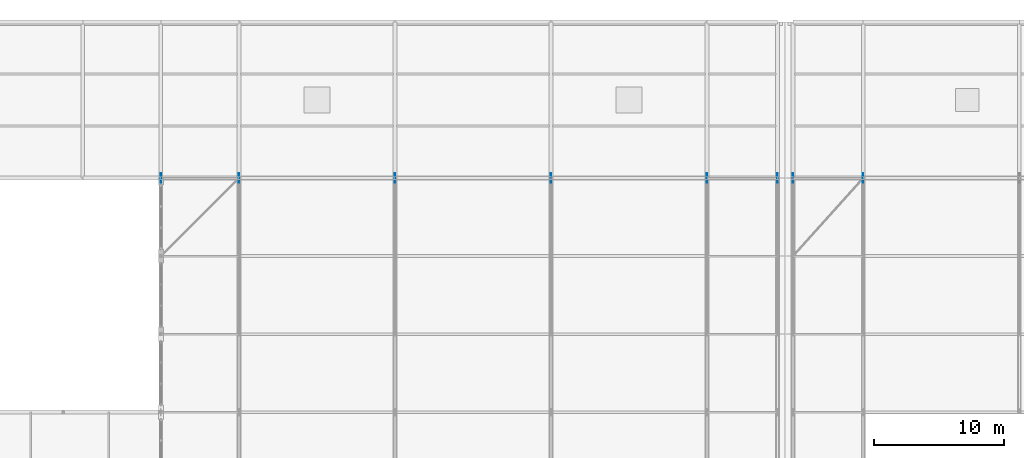
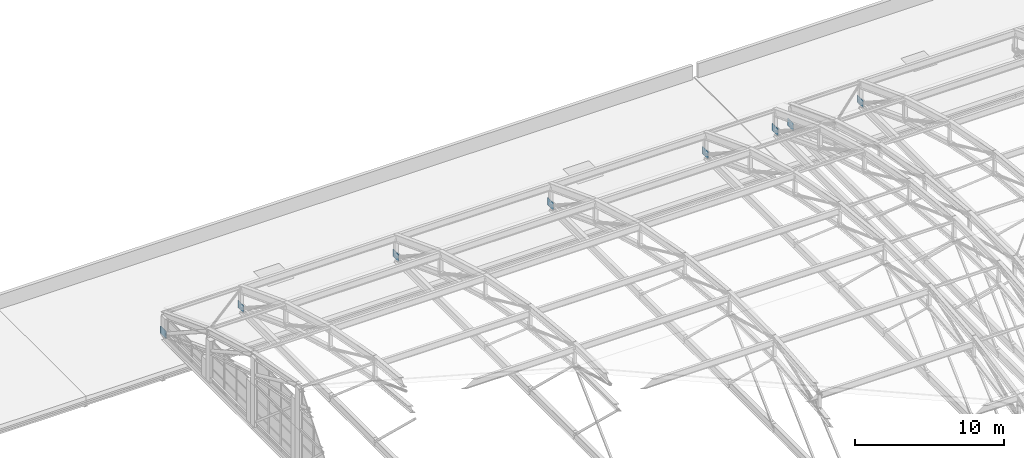
# One storey, part 190 of 204: 8 plates.
"""IFC4 building model written with IfcOpenShell, lengths in metres."""

from ifc_helpers import new_model, si_unit, direction, frame, origin, origin_2d, place, context, subcontext, project, spatial, rectangle, extrude, material, layer, layer_set, type_object, element, save


model = new_model("IFC4")

# Units and contexts
model_context = context("Model", 3, precision=1e-05, world=origin(), true_north=direction((0.0, 1.0)))
body_context = subcontext(model_context, "Body", "Model", "MODEL_VIEW")
ifc_project = project(units=[si_unit("LENGTHUNIT", "METRE"), si_unit("AREAUNIT", "SQUARE_METRE"), si_unit("VOLUMEUNIT", "CUBIC_METRE"), si_unit("PLANEANGLEUNIT", "RADIAN"), si_unit("MASSUNIT", "GRAM", prefix="KILO")], contexts=[model_context])

# Site, building, storey
site_placement = place(None, origin())
site = spatial("IfcSite", under=ifc_project, at=site_placement, CompositionType="ELEMENT")
building_placement = place(site_placement, origin())
building = spatial("IfcBuilding", under=site, at=building_placement, Name="Zilviju Railside Exhibition Hall", CompositionType="ELEMENT")
storey_placement = place(building_placement, frame((0.0, 0.0, 21.0)))
storey = spatial("IfcBuildingStorey", under=building, at=storey_placement, Name="RF", CompositionType="ELEMENT", Elevation=21.0)

# Plates
ifc_material = material(Name="Steel S355ML", Category="steel")
ifc_layer = layer(ifc_material, 0.034912109375)
ifc_layer_set = layer_set([ifc_layer], Name="Steel S355ML")
plate_type = type_object("IfcPlateType", Name="PLATE-GP-35", PredefinedType="SHEET", material=ifc_layer_set)
for number, where, z_axis, x_axis, name in (
    (1, (78.0, 138.0, -3.75), (0.0, 0.0, 1.0), (1.0, 0.0, 0.0), "V2 Arch Pin-Shoe Gusset Plate X=78.0"),
    (2, (84.0, 138.0, -3.75), (0.0, 0.0, 1.0), (1.0, 0.0, 0.0), "V2 Arch Pin-Shoe Gusset Plate X=84.0"),
    (3, (96.0, 138.0, -3.75), (0.0, 0.0, 1.0), (1.0, 0.0, 0.0), "V2 Arch Pin-Shoe Gusset Plate X=96.0"),
    (4, (108.0, 138.0, -3.75), (0.0, 0.0, 1.0), (1.0, 0.0, 0.0), "V2 Arch Pin-Shoe Gusset Plate X=108.0"),
    (5, (120.0, 138.0, -3.75), (0.0, 0.0, 1.0), (1.0, 0.0, 0.0), "V2 Arch Pin-Shoe Gusset Plate X=120.0"),
    (6, (125.39990234375, 138.0, -3.75), (0.0, 0.0, 1.0), (1.0, 0.0, 0.0), "V2 Arch Pin-Shoe Gusset Plate X=125.4"),
    (7, (126.60009765625, 138.0, -3.75), (0.0, 0.0, 1.0), (1.0, 0.0, 0.0), "V2 Arch Pin-Shoe Gusset Plate X=126.6"),
    (8, (132.0, 138.0, -3.75), (0.0, 0.0, 1.0), (1.0, 0.0, 0.0), "V2 Arch Pin-Shoe Gusset Plate X=132.0"),
):
    element("IfcPlate", number, at=place(storey_placement, frame(where, z_axis=z_axis, x_axis=x_axis)), inside=storey, type_object=plate_type, Name=name, PredefinedType="SHEET", context=body_context, shape_type="SweptSolid", body=[
        extrude(rectangle(XDim=0.034912109375, YDim=0.75, at=origin_2d()), origin(), (0.0, 0.0, 1.0), 0.60009765625),
    ])

save(model, "model.ifc")
